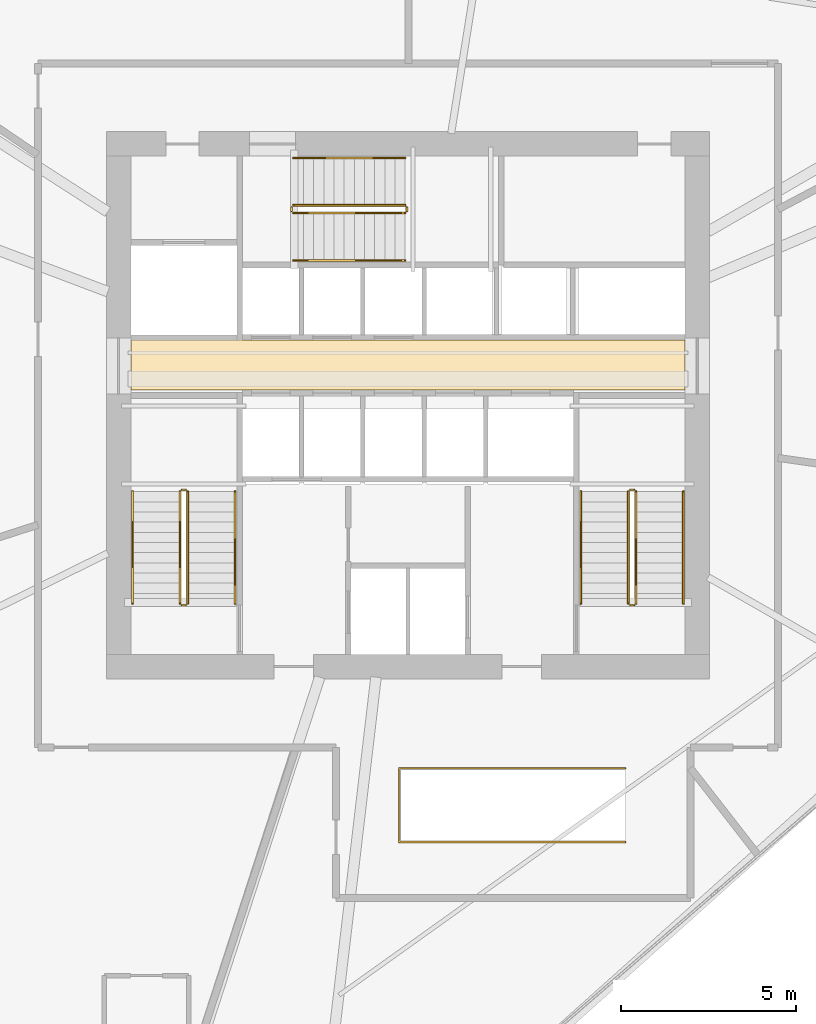
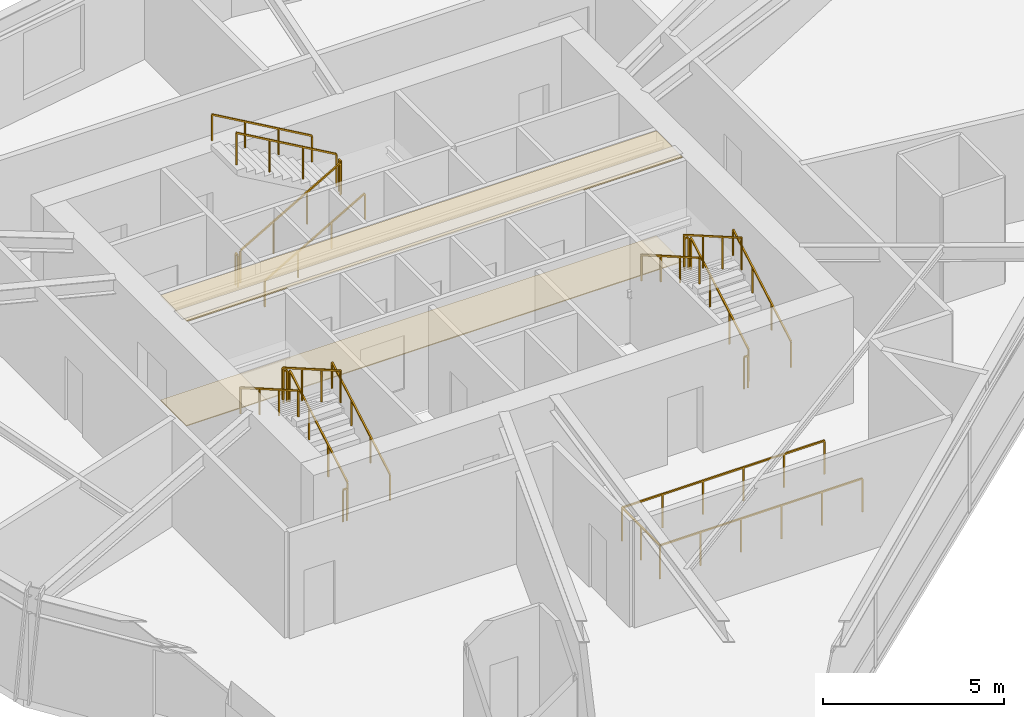
# One storey, part 15 of 16: 19 railings, 2 coverings.
"""IFC4 building model written with IfcOpenShell, lengths in metres."""

from ifc_helpers import new_model, si_unit, direction, frame, origin, origin_2d, place, context, subcontext, project, spatial, polyline, rectangle, outline, extrude, material, layer, layer_set, type_object, element, save


model = new_model("IFC4")

# Units and contexts
model_context = context("Model", 3, precision=1e-05, world=origin(), true_north=direction((0.0, 1.0)))
body_context = subcontext(model_context, "Body", "Model", "MODEL_VIEW")
ifc_project = project(units=[si_unit("LENGTHUNIT", "METRE"), si_unit("AREAUNIT", "SQUARE_METRE"), si_unit("VOLUMEUNIT", "CUBIC_METRE"), si_unit("PLANEANGLEUNIT", "RADIAN"), si_unit("MASSUNIT", "GRAM", prefix="KILO")], contexts=[model_context])

# Site, building, storey
site_placement = place(None, origin())
site = spatial("IfcSite", under=ifc_project, at=site_placement, CompositionType="ELEMENT")
building_placement = place(site_placement, origin())
building = spatial("IfcBuilding", under=site, at=building_placement, Name="Olszyna Solenne Hotel", CompositionType="ELEMENT")
storey_placement = place(building_placement, frame((0.0, 0.0, 138.10009765625)))
storey = spatial("IfcBuildingStorey", under=building, at=storey_placement, Name="L36", CompositionType="ELEMENT", Elevation=138.10009765625)

# Coverings
ifc_material_1 = material(Name="Mineral wool acoustic ceiling")
ifc_layer_1 = layer(ifc_material_1, 0.0400390625, Name="Mineral wool acoustic ceiling")
ifc_layer_set_1 = layer_set([ifc_layer_1], Name="Mineral wool acoustic ceiling")
covering_type_1 = type_object("IfcCoveringType", Name="CL-AC1", PredefinedType="CEILING", material=ifc_layer_set_1)
covering_1_placement = place(storey_placement, frame((0.0, 0.0, 3.52001953125)))
element("IfcCovering", 1, at=covering_1_placement, inside=storey, type_object=covering_type_1, Name="Lift lobby acoustic tile ceiling CL-L36-01", PredefinedType="CEILING", context=body_context, shape_type="SweptSolid", body=[
    extrude(outline(polyline([(30.10009765625, 27.030029296875), (45.89990234375, 27.030029296875), (45.89990234375, 28.4599609375), (30.10009765625, 28.4599609375), (30.10009765625, 27.030029296875)])), origin(), (0.0, 0.0, 1.0), 0.039794921875),
])
ifc_material_2 = material(Name="Ceramic floor tile")
ifc_layer_2 = layer(ifc_material_2, 0.030029296875, Name="Ceramic floor tile")
ifc_layer_set_2 = layer_set([ifc_layer_2], Name="Ceramic floor tile")
covering_type_2 = type_object("IfcCoveringType", Name="FL-TL1", PredefinedType="FLOORING", material=ifc_layer_set_2)
covering_2_placement = place(storey_placement, origin())
element("IfcCovering", 2, at=covering_2_placement, inside=storey, type_object=covering_type_2, Name="Lift lobby stoneware floor finish FLR-L36-01", PredefinedType="FLOORING", context=body_context, shape_type="SweptSolid", body=[
    extrude(outline(polyline([(30.10009765625, 27.030029296875), (45.89990234375, 27.030029296875), (45.89990234375, 28.4599609375), (30.10009765625, 28.4599609375), (30.10009765625, 27.030029296875)])), origin(), (0.0, 0.0, 1.0), 0.02978515625),
])

# Railings
ifc_material_3 = material(Name="Anodised bronze aluminium", Category="aluminium")
railing_type_1 = type_object("IfcRailingType", Name="GR-110", PredefinedType="BALUSTRADE", material=ifc_material_3)
railing_1_placement = place(storey_placement, frame((31.719970703125, 20.949951171875, 0.16650390625)))
element("IfcRailing", 3, at=railing_1_placement, inside=storey, type_object=railing_type_1, Name="L36 ST1 stair guard 1", PredefinedType="BALUSTRADE", context=body_context, shape_type="SweptSolid", body=[
    extrude(rectangle(XDim=0.048095703125, YDim=0.048095703125, at=origin_2d()), frame((0.0, 0.0, 1.076171875), z_axis=(0.0, 0.86699087805, 0.498324008431), x_axis=(-1.0, 0.0, 0.0)), (0.0, 0.0, 1.0), 3.679443359375),
    extrude(rectangle(XDim=0.0419921875, YDim=0.0419921875, at=origin_2d()), origin(), (0.0, 0.0, 1.0), 1.052001953125),
    extrude(rectangle(XDim=0.0419921875, YDim=0.0419921875, at=origin_2d()), frame((0.0, 1.063232421875, 0.611083984375)), (0.0, 0.0, 1.0), 1.052001953125),
    extrude(rectangle(XDim=0.0419921875, YDim=0.0419921875, at=origin_2d()), frame((0.0, 2.126708984375, 1.222412109375)), (0.0, 0.0, 1.0), 1.052001953125),
    extrude(rectangle(XDim=0.0419921875, YDim=0.0419921875, at=origin_2d()), frame((0.0, 3.18994140625, 1.83349609375)), (0.0, 0.0, 1.0), 1.052001953125),
])
railing_2_placement = place(storey_placement, frame((31.669921875, 24.18994140625, 2.0)))
element("IfcRailing", 4, at=railing_2_placement, inside=storey, type_object=railing_type_1, Name="L36 ST1 stair guard 2", PredefinedType="BALUSTRADE", context=body_context, shape_type="SweptSolid", body=[
    extrude(rectangle(XDim=0.048095703125, YDim=0.048095703125, at=origin_2d()), frame((0.0, 0.0, 1.076171875), z_axis=(-1.0, 0.0, 0.0), x_axis=(0.0, -1.0, 0.0)), (0.0, 0.0, 1.0), 0.119873046875),
    extrude(rectangle(XDim=0.0419921875, YDim=0.0419921875, at=origin_2d()), origin(), (0.0, 0.0, 1.0), 1.052001953125),
    extrude(rectangle(XDim=0.0419921875, YDim=0.0419921875, at=origin_2d()), frame((-0.119873046875, 0.0, 0.0)), (0.0, 0.0, 1.0), 1.052001953125),
])
railing_3_placement = place(storey_placement, frame((31.5, 24.139892578125, 2.16650390625)))
element("IfcRailing", 5, at=railing_3_placement, inside=storey, type_object=railing_type_1, Name="L36 ST1 stair guard 3", PredefinedType="BALUSTRADE", context=body_context, shape_type="SweptSolid", body=[
    extrude(rectangle(XDim=0.048095703125, YDim=0.048095703125, at=origin_2d()), frame((0.0, 0.0, 1.076171875), z_axis=(0.0, -0.86699087805, 0.498324008431), x_axis=(1.0, 0.0, 0.0)), (0.0, 0.0, 1.0), 3.679443359375),
    extrude(rectangle(XDim=0.0419921875, YDim=0.0419921875, at=origin_2d()), origin(), (0.0, 0.0, 1.0), 1.052001953125),
    extrude(rectangle(XDim=0.0419921875, YDim=0.0419921875, at=origin_2d()), frame((0.0, -1.063232421875, 0.611083984375)), (0.0, 0.0, 1.0), 1.052001953125),
    extrude(rectangle(XDim=0.0419921875, YDim=0.0419921875, at=origin_2d()), frame((0.0, -2.126708984375, 1.222412109375)), (0.0, 0.0, 1.0), 1.052001953125),
    extrude(rectangle(XDim=0.0419921875, YDim=0.0419921875, at=origin_2d()), frame((0.0, -3.18994140625, 1.83349609375)), (0.0, 0.0, 1.0), 1.052001953125),
])
railing_4_placement = place(storey_placement, frame((31.669921875, 20.89990234375, 0.0)))
element("IfcRailing", 6, at=railing_4_placement, inside=storey, type_object=railing_type_1, Name="L36 ST1 stair guard 4", PredefinedType="BALUSTRADE", context=body_context, shape_type="SweptSolid", body=[
    extrude(rectangle(XDim=0.048095703125, YDim=0.048095703125, at=origin_2d()), frame((0.0, 0.0, 1.076171875), z_axis=(-1.0, 0.0, 0.0), x_axis=(0.0, -1.0, 0.0)), (0.0, 0.0, 1.0), 0.119873046875),
    extrude(rectangle(XDim=0.0419921875, YDim=0.0419921875, at=origin_2d()), origin(), (0.0, 0.0, 1.0), 1.052001953125),
    extrude(rectangle(XDim=0.0419921875, YDim=0.0419921875, at=origin_2d()), frame((-0.119873046875, 0.0, 0.0)), (0.0, 0.0, 1.0), 1.052001953125),
])
railing_5_placement = place(storey_placement, frame((44.5, 20.949951171875, 0.16650390625)))
element("IfcRailing", 7, at=railing_5_placement, inside=storey, type_object=railing_type_1, Name="L36 ST2 stair guard 1", PredefinedType="BALUSTRADE", context=body_context, shape_type="SweptSolid", body=[
    extrude(rectangle(XDim=0.048095703125, YDim=0.048095703125, at=origin_2d()), frame((0.0, 0.0, 1.076171875), z_axis=(0.0, 0.86699087805, 0.498324008431), x_axis=(-1.0, 0.0, 0.0)), (0.0, 0.0, 1.0), 3.679443359375),
    extrude(rectangle(XDim=0.0419921875, YDim=0.0419921875, at=origin_2d()), origin(), (0.0, 0.0, 1.0), 1.052001953125),
    extrude(rectangle(XDim=0.0419921875, YDim=0.0419921875, at=origin_2d()), frame((0.0, 1.063232421875, 0.611083984375)), (0.0, 0.0, 1.0), 1.052001953125),
    extrude(rectangle(XDim=0.0419921875, YDim=0.0419921875, at=origin_2d()), frame((0.0, 2.126708984375, 1.222412109375)), (0.0, 0.0, 1.0), 1.052001953125),
    extrude(rectangle(XDim=0.0419921875, YDim=0.0419921875, at=origin_2d()), frame((0.0, 3.18994140625, 1.83349609375)), (0.0, 0.0, 1.0), 1.052001953125),
])
railing_6_placement = place(storey_placement, frame((44.449951171875, 24.18994140625, 2.0)))
element("IfcRailing", 8, at=railing_6_placement, inside=storey, type_object=railing_type_1, Name="L36 ST2 stair guard 2", PredefinedType="BALUSTRADE", context=body_context, shape_type="SweptSolid", body=[
    extrude(rectangle(XDim=0.048095703125, YDim=0.048095703125, at=origin_2d()), frame((0.0, 0.0, 1.076171875), z_axis=(-1.0, 0.0, 0.0), x_axis=(0.0, -1.0, 0.0)), (0.0, 0.0, 1.0), 0.119873046875),
    extrude(rectangle(XDim=0.0419921875, YDim=0.0419921875, at=origin_2d()), origin(), (0.0, 0.0, 1.0), 1.052001953125),
    extrude(rectangle(XDim=0.0419921875, YDim=0.0419921875, at=origin_2d()), frame((-0.119873046875, 0.0, 0.0)), (0.0, 0.0, 1.0), 1.052001953125),
])
railing_7_placement = place(storey_placement, frame((44.280029296875, 24.139892578125, 2.16650390625)))
element("IfcRailing", 9, at=railing_7_placement, inside=storey, type_object=railing_type_1, Name="L36 ST2 stair guard 3", PredefinedType="BALUSTRADE", context=body_context, shape_type="SweptSolid", body=[
    extrude(rectangle(XDim=0.048095703125, YDim=0.048095703125, at=origin_2d()), frame((0.0, 0.0, 1.076171875), z_axis=(0.0, -0.86699087805, 0.498324008431), x_axis=(1.0, 0.0, 0.0)), (0.0, 0.0, 1.0), 3.679443359375),
    extrude(rectangle(XDim=0.0419921875, YDim=0.0419921875, at=origin_2d()), origin(), (0.0, 0.0, 1.0), 1.052001953125),
    extrude(rectangle(XDim=0.0419921875, YDim=0.0419921875, at=origin_2d()), frame((0.0, -1.063232421875, 0.611083984375)), (0.0, 0.0, 1.0), 1.052001953125),
    extrude(rectangle(XDim=0.0419921875, YDim=0.0419921875, at=origin_2d()), frame((0.0, -2.126708984375, 1.222412109375)), (0.0, 0.0, 1.0), 1.052001953125),
    extrude(rectangle(XDim=0.0419921875, YDim=0.0419921875, at=origin_2d()), frame((0.0, -3.18994140625, 1.83349609375)), (0.0, 0.0, 1.0), 1.052001953125),
])
railing_8_placement = place(storey_placement, frame((44.449951171875, 20.89990234375, 0.0)))
element("IfcRailing", 10, at=railing_8_placement, inside=storey, type_object=railing_type_1, Name="L36 ST2 stair guard 4", PredefinedType="BALUSTRADE", context=body_context, shape_type="SweptSolid", body=[
    extrude(rectangle(XDim=0.048095703125, YDim=0.048095703125, at=origin_2d()), frame((0.0, 0.0, 1.076171875), z_axis=(-1.0, 0.0, 0.0), x_axis=(0.0, -1.0, 0.0)), (0.0, 0.0, 1.0), 0.119873046875),
    extrude(rectangle(XDim=0.0419921875, YDim=0.0419921875, at=origin_2d()), origin(), (0.0, 0.0, 1.0), 1.052001953125),
    extrude(rectangle(XDim=0.0419921875, YDim=0.0419921875, at=origin_2d()), frame((-0.119873046875, 0.0, 0.0)), (0.0, 0.0, 1.0), 1.052001953125),
])
railing_9_placement = place(storey_placement, frame((34.72998046875, 32.080078125, 0.16650390625)))
element("IfcRailing", 11, at=railing_9_placement, inside=storey, type_object=railing_type_1, Name="L36 ST3 stair guard 1", PredefinedType="BALUSTRADE", context=body_context, shape_type="SweptSolid", body=[
    extrude(rectangle(XDim=0.048095703125, YDim=0.048095703125, at=origin_2d()), frame((0.0, 0.0, 1.076171875), z_axis=(0.86699087805, 0.0, 0.498324008431), x_axis=(0.0, 1.0, 0.0)), (0.0, 0.0, 1.0), 3.679443359375),
    extrude(rectangle(XDim=0.0419921875, YDim=0.0419921875, at=origin_2d()), origin(), (0.0, 0.0, 1.0), 1.052001953125),
    extrude(rectangle(XDim=0.0419921875, YDim=0.0419921875, at=origin_2d()), frame((1.063232421875, 0.0, 0.611083984375)), (0.0, 0.0, 1.0), 1.052001953125),
    extrude(rectangle(XDim=0.0419921875, YDim=0.0419921875, at=origin_2d()), frame((2.126708984375, 0.0, 1.222412109375)), (0.0, 0.0, 1.0), 1.052001953125),
    extrude(rectangle(XDim=0.0419921875, YDim=0.0419921875, at=origin_2d()), frame((3.18994140625, 0.0, 1.83349609375)), (0.0, 0.0, 1.0), 1.052001953125),
])
railing_10_placement = place(storey_placement, frame((37.969970703125, 32.1298828125, 2.0)))
element("IfcRailing", 12, at=railing_10_placement, inside=storey, type_object=railing_type_1, Name="L36 ST3 stair guard 2", PredefinedType="BALUSTRADE", context=body_context, shape_type="SweptSolid", body=[
    extrude(rectangle(XDim=0.048095703125, YDim=0.048095703125, at=origin_2d()), frame((0.0, 0.0, 1.076171875), z_axis=(0.0, 1.0, 0.0), x_axis=(-1.0, 0.0, 0.0)), (0.0, 0.0, 1.0), 0.1201171875),
    extrude(rectangle(XDim=0.0419921875, YDim=0.0419921875, at=origin_2d()), origin(), (0.0, 0.0, 1.0), 1.052001953125),
    extrude(rectangle(XDim=0.0419921875, YDim=0.0419921875, at=origin_2d()), frame((0.0, 0.1201171875, 0.0)), (0.0, 0.0, 1.0), 1.052001953125),
])
railing_11_placement = place(storey_placement, frame((37.919921875, 32.300048828125, 2.16650390625)))
element("IfcRailing", 13, at=railing_11_placement, inside=storey, type_object=railing_type_1, Name="L36 ST3 stair guard 3", PredefinedType="BALUSTRADE", context=body_context, shape_type="SweptSolid", body=[
    extrude(rectangle(XDim=0.048095703125, YDim=0.048095703125, at=origin_2d()), frame((0.0, 0.0, 1.076171875), z_axis=(-0.86699087805, 0.0, 0.498324008431), x_axis=(0.0, -1.0, 0.0)), (0.0, 0.0, 1.0), 3.679443359375),
    extrude(rectangle(XDim=0.0419921875, YDim=0.0419921875, at=origin_2d()), origin(), (0.0, 0.0, 1.0), 1.052001953125),
    extrude(rectangle(XDim=0.0419921875, YDim=0.0419921875, at=origin_2d()), frame((-1.063232421875, 0.0, 0.611083984375)), (0.0, 0.0, 1.0), 1.052001953125),
    extrude(rectangle(XDim=0.0419921875, YDim=0.0419921875, at=origin_2d()), frame((-2.126708984375, 0.0, 1.222412109375)), (0.0, 0.0, 1.0), 1.052001953125),
    extrude(rectangle(XDim=0.0419921875, YDim=0.0419921875, at=origin_2d()), frame((-3.18994140625, 0.0, 1.83349609375)), (0.0, 0.0, 1.0), 1.052001953125),
])
railing_12_placement = place(storey_placement, frame((34.679931640625, 32.1298828125, 0.0)))
element("IfcRailing", 14, at=railing_12_placement, inside=storey, type_object=railing_type_1, Name="L36 ST3 stair guard 4", PredefinedType="BALUSTRADE", context=body_context, shape_type="SweptSolid", body=[
    extrude(rectangle(XDim=0.048095703125, YDim=0.048095703125, at=origin_2d()), frame((0.0, 0.0, 1.076171875), z_axis=(0.0, 1.0, 0.0), x_axis=(-1.0, 0.0, 0.0)), (0.0, 0.0, 1.0), 0.1201171875),
    extrude(rectangle(XDim=0.0419921875, YDim=0.0419921875, at=origin_2d()), origin(), (0.0, 0.0, 1.0), 1.052001953125),
    extrude(rectangle(XDim=0.0419921875, YDim=0.0419921875, at=origin_2d()), frame((0.0, 0.1201171875, 0.0)), (0.0, 0.0, 1.0), 1.052001953125),
])
railing_13_placement = place(storey_placement, frame((44.199951171875, 14.14990234375, 0.0)))
element("IfcRailing", 15, at=railing_13_placement, inside=storey, type_object=railing_type_1, Name="Atrium stair well guard balustrade GR-L36-VD", PredefinedType="BALUSTRADE", context=body_context, shape_type="SweptSolid", body=[
    extrude(rectangle(XDim=0.048095703125, YDim=0.048095703125, at=origin_2d()), frame((0.0, 0.0, 1.1259765625), z_axis=(-1.0, 0.0, 0.0), x_axis=(0.0, -1.0, 0.0)), (0.0, 0.0, 1.0), 6.449951171875),
    extrude(rectangle(XDim=0.048095703125, YDim=0.048095703125, at=origin_2d()), frame((-6.449951171875, 0.0, 1.1259765625), z_axis=(0.0, 1.0, 0.0), x_axis=(-1.0, 0.0, 0.0)), (0.0, 0.0, 1.0), 2.10009765625),
    extrude(rectangle(XDim=0.048095703125, YDim=0.048095703125, at=origin_2d()), frame((-6.449951171875, 2.10009765625, 1.1259765625), z_axis=(1.0, 0.0, 0.0), x_axis=(0.0, 1.0, 0.0)), (0.0, 0.0, 1.0), 6.449951171875),
    extrude(rectangle(XDim=0.0419921875, YDim=0.0419921875, at=origin_2d()), origin(), (0.0, 0.0, 1.0), 1.101806640625),
    extrude(rectangle(XDim=0.0419921875, YDim=0.0419921875, at=origin_2d()), frame((-1.2900390625, 0.0, 0.0)), (0.0, 0.0, 1.0), 1.101806640625),
    extrude(rectangle(XDim=0.0419921875, YDim=0.0419921875, at=origin_2d()), frame((-2.580078125, 0.0, 0.0)), (0.0, 0.0, 1.0), 1.101806640625),
    extrude(rectangle(XDim=0.0419921875, YDim=0.0419921875, at=origin_2d()), frame((-3.869873046875, 0.0, 0.0)), (0.0, 0.0, 1.0), 1.101806640625),
    extrude(rectangle(XDim=0.0419921875, YDim=0.0419921875, at=origin_2d()), frame((-5.159912109375, 0.0, 0.0)), (0.0, 0.0, 1.0), 1.101806640625),
    extrude(rectangle(XDim=0.0419921875, YDim=0.0419921875, at=origin_2d()), frame((-6.449951171875, 0.0, 0.0)), (0.0, 0.0, 1.0), 1.101806640625),
    extrude(rectangle(XDim=0.0419921875, YDim=0.0419921875, at=origin_2d()), frame((-6.449951171875, 1.050048828125, 0.0)), (0.0, 0.0, 1.0), 1.101806640625),
    extrude(rectangle(XDim=0.0419921875, YDim=0.0419921875, at=origin_2d()), frame((-6.449951171875, 2.10009765625, 0.0)), (0.0, 0.0, 1.0), 1.101806640625),
    extrude(rectangle(XDim=0.0419921875, YDim=0.0419921875, at=origin_2d()), frame((-5.159912109375, 2.10009765625, 0.0)), (0.0, 0.0, 1.0), 1.101806640625),
    extrude(rectangle(XDim=0.0419921875, YDim=0.0419921875, at=origin_2d()), frame((-3.869873046875, 2.10009765625, 0.0)), (0.0, 0.0, 1.0), 1.101806640625),
    extrude(rectangle(XDim=0.0419921875, YDim=0.0419921875, at=origin_2d()), frame((-2.580078125, 2.10009765625, 0.0)), (0.0, 0.0, 1.0), 1.101806640625),
    extrude(rectangle(XDim=0.0419921875, YDim=0.0419921875, at=origin_2d()), frame((-1.2900390625, 2.10009765625, 0.0)), (0.0, 0.0, 1.0), 1.101806640625),
    extrude(rectangle(XDim=0.0419921875, YDim=0.0419921875, at=origin_2d()), frame((0.0, 2.10009765625, 0.0)), (0.0, 0.0, 1.0), 1.101806640625),
])
ifc_material_4 = material(Name="Steel S355J2", Category="steel")
railing_type_2 = type_object("IfcRailingType", Name="HR-090", PredefinedType="HANDRAIL", material=ifc_material_4)
railing_14_placement = place(storey_placement, frame((33.070068359375, 20.949951171875, 0.16650390625)))
element("IfcRailing", 16, at=railing_14_placement, inside=storey, type_object=railing_type_2, Name="L36 ST1 stair handrail 1", PredefinedType="HANDRAIL", context=body_context, shape_type="SweptSolid", body=[
    extrude(rectangle(XDim=0.048095703125, YDim=0.048095703125, at=origin_2d()), frame((0.0, 0.0, 0.8759765625), z_axis=(0.0, 0.86699087805, 0.498324008431), x_axis=(-1.0, 0.0, 0.0)), (0.0, 0.0, 1.0), 3.679443359375),
    extrude(rectangle(XDim=0.0419921875, YDim=0.0419921875, at=origin_2d()), origin(), (0.0, 0.0, 1.0), 0.851806640625),
    extrude(rectangle(XDim=0.0419921875, YDim=0.0419921875, at=origin_2d()), frame((0.0, 1.063232421875, 0.611083984375)), (0.0, 0.0, 1.0), 0.851806640625),
    extrude(rectangle(XDim=0.0419921875, YDim=0.0419921875, at=origin_2d()), frame((0.0, 2.126708984375, 1.222412109375)), (0.0, 0.0, 1.0), 0.851806640625),
    extrude(rectangle(XDim=0.0419921875, YDim=0.0419921875, at=origin_2d()), frame((0.0, 3.18994140625, 1.83349609375)), (0.0, 0.0, 1.0), 0.851806640625),
])
railing_15_placement = place(storey_placement, frame((30.14990234375, 24.139892578125, 2.16650390625)))
element("IfcRailing", 17, at=railing_15_placement, inside=storey, type_object=railing_type_2, Name="L36 ST1 stair handrail 2", PredefinedType="HANDRAIL", context=body_context, shape_type="SweptSolid", body=[
    extrude(rectangle(XDim=0.048095703125, YDim=0.048095703125, at=origin_2d()), frame((0.0, 0.0, 0.8759765625), z_axis=(0.0, -0.86699087805, 0.498324008431), x_axis=(1.0, 0.0, 0.0)), (0.0, 0.0, 1.0), 3.679443359375),
    extrude(rectangle(XDim=0.0419921875, YDim=0.0419921875, at=origin_2d()), origin(), (0.0, 0.0, 1.0), 0.851806640625),
    extrude(rectangle(XDim=0.0419921875, YDim=0.0419921875, at=origin_2d()), frame((0.0, -1.063232421875, 0.611083984375)), (0.0, 0.0, 1.0), 0.851806640625),
    extrude(rectangle(XDim=0.0419921875, YDim=0.0419921875, at=origin_2d()), frame((0.0, -2.126708984375, 1.222412109375)), (0.0, 0.0, 1.0), 0.851806640625),
    extrude(rectangle(XDim=0.0419921875, YDim=0.0419921875, at=origin_2d()), frame((0.0, -3.18994140625, 1.83349609375)), (0.0, 0.0, 1.0), 0.851806640625),
])
railing_16_placement = place(storey_placement, frame((45.85009765625, 20.949951171875, 0.16650390625)))
element("IfcRailing", 18, at=railing_16_placement, inside=storey, type_object=railing_type_2, Name="L36 ST2 stair handrail 1", PredefinedType="HANDRAIL", context=body_context, shape_type="SweptSolid", body=[
    extrude(rectangle(XDim=0.048095703125, YDim=0.048095703125, at=origin_2d()), frame((0.0, 0.0, 0.8759765625), z_axis=(0.0, 0.86699087805, 0.498324008431), x_axis=(-1.0, 0.0, 0.0)), (0.0, 0.0, 1.0), 3.679443359375),
    extrude(rectangle(XDim=0.0419921875, YDim=0.0419921875, at=origin_2d()), origin(), (0.0, 0.0, 1.0), 0.851806640625),
    extrude(rectangle(XDim=0.0419921875, YDim=0.0419921875, at=origin_2d()), frame((0.0, 1.063232421875, 0.611083984375)), (0.0, 0.0, 1.0), 0.851806640625),
    extrude(rectangle(XDim=0.0419921875, YDim=0.0419921875, at=origin_2d()), frame((0.0, 2.126708984375, 1.222412109375)), (0.0, 0.0, 1.0), 0.851806640625),
    extrude(rectangle(XDim=0.0419921875, YDim=0.0419921875, at=origin_2d()), frame((0.0, 3.18994140625, 1.83349609375)), (0.0, 0.0, 1.0), 0.851806640625),
])
railing_17_placement = place(storey_placement, frame((42.929931640625, 24.139892578125, 2.16650390625)))
element("IfcRailing", 19, at=railing_17_placement, inside=storey, type_object=railing_type_2, Name="L36 ST2 stair handrail 2", PredefinedType="HANDRAIL", context=body_context, shape_type="SweptSolid", body=[
    extrude(rectangle(XDim=0.048095703125, YDim=0.048095703125, at=origin_2d()), frame((0.0, 0.0, 0.8759765625), z_axis=(0.0, -0.86699087805, 0.498324008431), x_axis=(1.0, 0.0, 0.0)), (0.0, 0.0, 1.0), 3.679443359375),
    extrude(rectangle(XDim=0.0419921875, YDim=0.0419921875, at=origin_2d()), origin(), (0.0, 0.0, 1.0), 0.851806640625),
    extrude(rectangle(XDim=0.0419921875, YDim=0.0419921875, at=origin_2d()), frame((0.0, -1.063232421875, 0.611083984375)), (0.0, 0.0, 1.0), 0.851806640625),
    extrude(rectangle(XDim=0.0419921875, YDim=0.0419921875, at=origin_2d()), frame((0.0, -2.126708984375, 1.222412109375)), (0.0, 0.0, 1.0), 0.851806640625),
    extrude(rectangle(XDim=0.0419921875, YDim=0.0419921875, at=origin_2d()), frame((0.0, -3.18994140625, 1.83349609375)), (0.0, 0.0, 1.0), 0.851806640625),
])
railing_18_placement = place(storey_placement, frame((34.72998046875, 30.72998046875, 0.16650390625)))
element("IfcRailing", 20, at=railing_18_placement, inside=storey, type_object=railing_type_2, Name="L36 ST3 stair handrail 1", PredefinedType="HANDRAIL", context=body_context, shape_type="SweptSolid", body=[
    extrude(rectangle(XDim=0.048095703125, YDim=0.048095703125, at=origin_2d()), frame((0.0, 0.0, 0.8759765625), z_axis=(0.86699087805, 0.0, 0.498324008431), x_axis=(0.0, 1.0, 0.0)), (0.0, 0.0, 1.0), 3.679443359375),
    extrude(rectangle(XDim=0.0419921875, YDim=0.0419921875, at=origin_2d()), origin(), (0.0, 0.0, 1.0), 0.851806640625),
    extrude(rectangle(XDim=0.0419921875, YDim=0.0419921875, at=origin_2d()), frame((1.063232421875, 0.0, 0.611083984375)), (0.0, 0.0, 1.0), 0.851806640625),
    extrude(rectangle(XDim=0.0419921875, YDim=0.0419921875, at=origin_2d()), frame((2.126708984375, 0.0, 1.222412109375)), (0.0, 0.0, 1.0), 0.851806640625),
    extrude(rectangle(XDim=0.0419921875, YDim=0.0419921875, at=origin_2d()), frame((3.18994140625, 0.0, 1.83349609375)), (0.0, 0.0, 1.0), 0.851806640625),
])
railing_19_placement = place(storey_placement, frame((37.919921875, 33.64990234375, 2.16650390625)))
element("IfcRailing", 21, at=railing_19_placement, inside=storey, type_object=railing_type_2, Name="L36 ST3 stair handrail 2", PredefinedType="HANDRAIL", context=body_context, shape_type="SweptSolid", body=[
    extrude(rectangle(XDim=0.048095703125, YDim=0.048095703125, at=origin_2d()), frame((0.0, 0.0, 0.8759765625), z_axis=(-0.86699087805, 0.0, 0.498324008431), x_axis=(0.0, -1.0, 0.0)), (0.0, 0.0, 1.0), 3.679443359375),
    extrude(rectangle(XDim=0.0419921875, YDim=0.0419921875, at=origin_2d()), origin(), (0.0, 0.0, 1.0), 0.851806640625),
    extrude(rectangle(XDim=0.0419921875, YDim=0.0419921875, at=origin_2d()), frame((-1.063232421875, 0.0, 0.611083984375)), (0.0, 0.0, 1.0), 0.851806640625),
    extrude(rectangle(XDim=0.0419921875, YDim=0.0419921875, at=origin_2d()), frame((-2.126708984375, 0.0, 1.222412109375)), (0.0, 0.0, 1.0), 0.851806640625),
    extrude(rectangle(XDim=0.0419921875, YDim=0.0419921875, at=origin_2d()), frame((-3.18994140625, 0.0, 1.83349609375)), (0.0, 0.0, 1.0), 0.851806640625),
])

save(model, "model.ifc")
